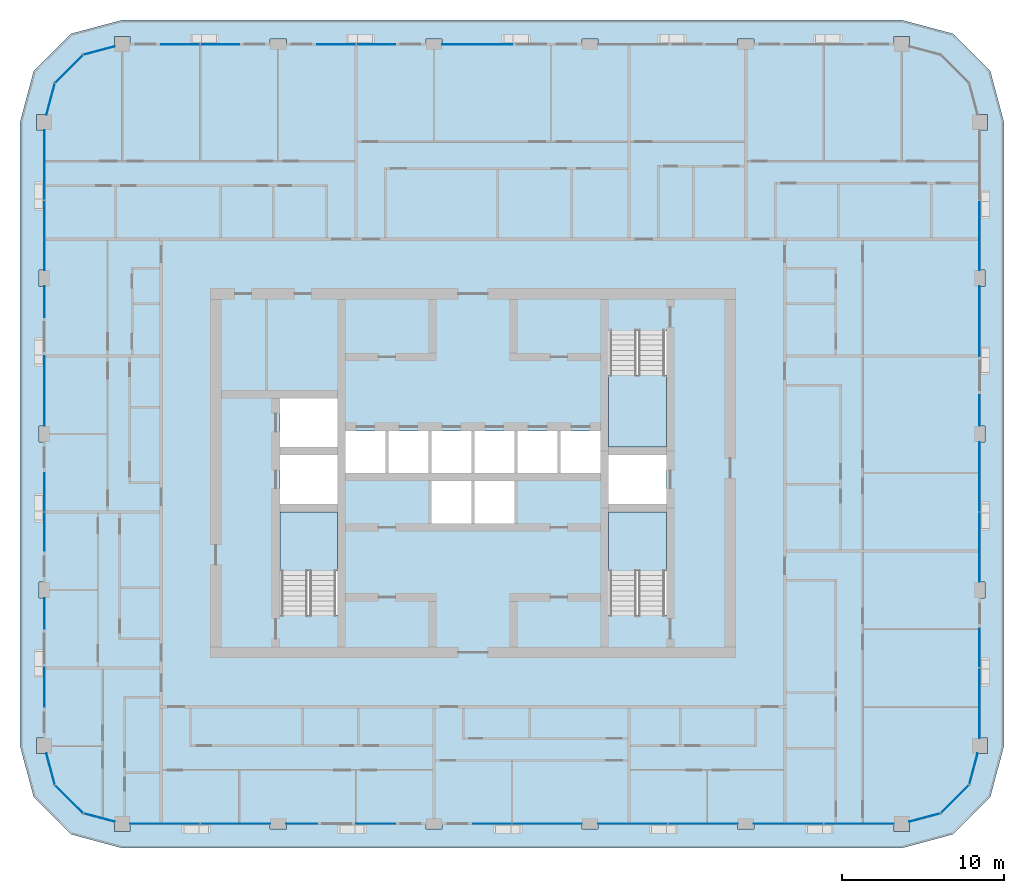
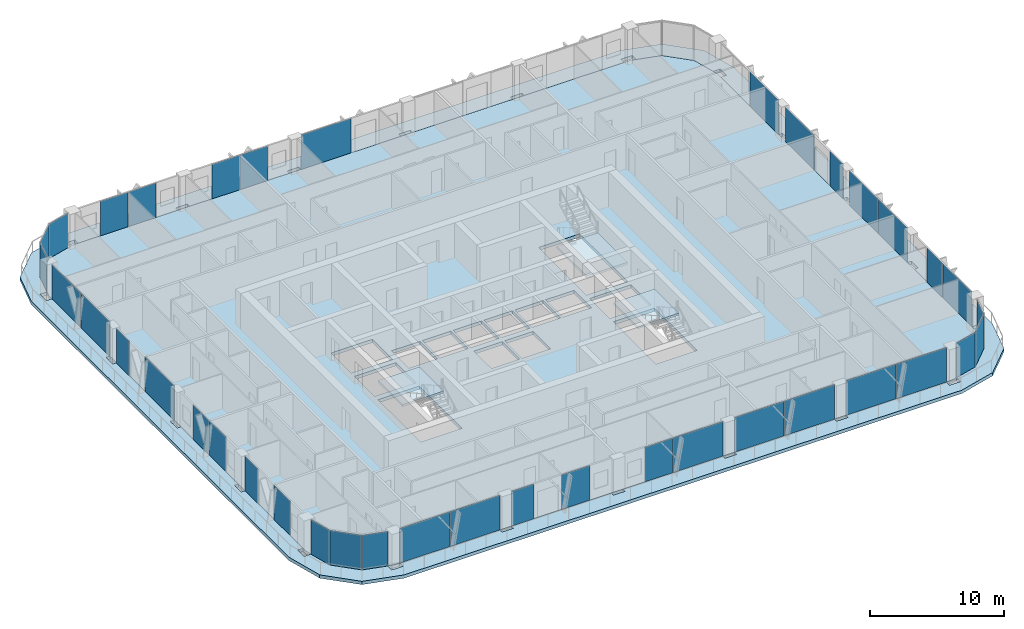
# One storey, part 7 of 22: 39 plates, 5 slabs, 22 elements without a shape of their own.
"""IFC4 building model written with IfcOpenShell, lengths in metres."""

from ifc_helpers import new_model, si_unit, direction, frame, origin, origin_2d, place, context, subcontext, project, spatial, polyline, rectangle, outline, extrude, material, layer, layer_set, type_object, element, aggregate, save


model = new_model("IFC4")

# Units and contexts
model_context = context("Model", 3, precision=1e-05, world=origin(), true_north=direction((0.0, 1.0)))
body_context = subcontext(model_context, "Body", "Model", "MODEL_VIEW")
ifc_project = project(units=[si_unit("LENGTHUNIT", "METRE"), si_unit("AREAUNIT", "SQUARE_METRE"), si_unit("VOLUMEUNIT", "CUBIC_METRE"), si_unit("PLANEANGLEUNIT", "RADIAN"), si_unit("MASSUNIT", "GRAM", prefix="KILO")], contexts=[model_context])

# Site, building, storey
site_placement = place(None, origin())
site = spatial("IfcSite", under=ifc_project, at=site_placement, CompositionType="ELEMENT")
building_placement = place(site_placement, origin())
building = spatial("IfcBuilding", under=site, at=building_placement, Name="Madar Terraces", CompositionType="ELEMENT")
storey_placement = place(building_placement, frame((0.0, 0.0, 208.800048828125)))
storey = spatial("IfcBuildingStorey", under=building, at=storey_placement, Name="L54", CompositionType="ELEMENT", Elevation=208.800048828125)

# Slabs
ifc_material_1 = material(Name="Concrete C50/60", Category="concrete")
ifc_layer_1 = layer(ifc_material_1, 0.300048828125)
ifc_layer_set_1 = layer_set([ifc_layer_1], Name="Balcony band 300")
slab_type_1 = type_object("IfcSlabType", Name="Balcony band 300", PredefinedType="FLOOR", material=ifc_layer_set_1)
slab_1_placement = place(storey_placement, frame((0.0, 0.0, -0.300048828125)))
element("IfcSlab", 1, at=slab_1_placement, inside=storey, type_object=slab_type_1, Name="Balcony band", PredefinedType="FLOOR", context=body_context, shape_type="SweptSolid", body=[
    extrude(outline(polyline([(9.60009765625, 3.300048828125), (6.449951171875, 4.14404296875), (4.14404296875, 6.449951171875), (3.300048828125, 9.60009765625), (3.300048828125, 48.0), (4.14404296875, 51.14990234375), (6.449951171875, 53.4560546875), (9.60009765625, 54.300048828125), (57.60009765625, 54.300048828125), (60.75, 53.4560546875), (63.055908203125, 51.14990234375), (63.89990234375, 48.0), (63.89990234375, 9.60009765625), (63.055908203125, 6.449951171875), (60.75, 4.14404296875), (57.60009765625, 3.300048828125), (9.60009765625, 3.300048828125)]), holes=[polyline([(10.074951171875, 4.324951171875), (10.074951171875, 4.800048828125), (18.699951171875, 4.800048828125), (18.699951171875, 4.47509765625), (19.699951171875, 4.47509765625), (19.699951171875, 4.800048828125), (28.300048828125, 4.800048828125), (28.300048828125, 4.47509765625), (29.300048828125, 4.47509765625), (29.300048828125, 4.800048828125), (37.89990234375, 4.800048828125), (37.89990234375, 4.47509765625), (38.89990234375, 4.47509765625), (38.89990234375, 4.800048828125), (47.5, 4.800048828125), (47.5, 4.47509765625), (48.5, 4.47509765625), (48.5, 4.800048828125), (57.125, 4.800048828125), (57.125, 4.324951171875), (58.074951171875, 4.324951171875), (58.074951171875, 4.92724609375), (60.0, 5.443115234375), (61.7568359375, 7.199951171875), (62.272705078125, 9.125), (62.875, 9.125), (62.875, 10.074951171875), (62.39990234375, 10.074951171875), (62.39990234375, 18.699951171875), (62.72509765625, 18.699951171875), (62.72509765625, 19.699951171875), (62.39990234375, 19.699951171875), (62.39990234375, 28.300048828125), (62.72509765625, 28.300048828125), (62.72509765625, 29.300048828125), (62.39990234375, 29.300048828125), (62.39990234375, 37.89990234375), (62.72509765625, 37.89990234375), (62.72509765625, 38.89990234375), (62.39990234375, 38.89990234375), (62.39990234375, 47.52490234375), (62.875, 47.52490234375), (62.875, 48.47509765625), (62.272705078125, 48.47509765625), (61.7568359375, 50.39990234375), (60.0, 52.156982421875), (58.074951171875, 52.672607421875), (58.074951171875, 53.27490234375), (57.125, 53.27490234375), (57.125, 52.800048828125), (48.5, 52.800048828125), (48.5, 53.125), (47.5, 53.125), (47.5, 52.800048828125), (38.89990234375, 52.800048828125), (38.89990234375, 53.125), (37.89990234375, 53.125), (37.89990234375, 52.800048828125), (29.300048828125, 52.800048828125), (29.300048828125, 53.125), (28.300048828125, 53.125), (28.300048828125, 52.800048828125), (19.699951171875, 52.800048828125), (19.699951171875, 53.125), (18.699951171875, 53.125), (18.699951171875, 52.800048828125), (10.074951171875, 52.800048828125), (10.074951171875, 53.27490234375), (9.125, 53.27490234375), (9.125, 52.672607421875), (7.199951171875, 52.156982421875), (5.443115234375, 50.39990234375), (4.92724609375, 48.47509765625), (4.324951171875, 48.47509765625), (4.324951171875, 47.52490234375), (4.800048828125, 47.52490234375), (4.800048828125, 38.89990234375), (4.47509765625, 38.89990234375), (4.47509765625, 37.89990234375), (4.800048828125, 37.89990234375), (4.800048828125, 29.300048828125), (4.47509765625, 29.300048828125), (4.47509765625, 28.300048828125), (4.800048828125, 28.300048828125), (4.800048828125, 19.699951171875), (4.47509765625, 19.699951171875), (4.47509765625, 18.699951171875), (4.800048828125, 18.699951171875), (4.800048828125, 10.074951171875), (4.324951171875, 10.074951171875), (4.324951171875, 9.125), (4.92724609375, 9.125), (5.443115234375, 7.199951171875), (7.199951171875, 5.443115234375), (9.125, 4.92724609375), (9.125, 4.324951171875), (10.074951171875, 4.324951171875)])]), origin(), (0.0, 0.0, 1.0), 0.300048828125),
])
ifc_material_2 = material(Name="Concrete C50/60", Category="concrete")
ifc_layer_2 = layer(ifc_material_2, 0.300048828125)
ifc_layer_set_2 = layer_set([ifc_layer_2], Name="FS2 PT flat slab 300")
slab_type_2 = type_object("IfcSlabType", Name="FS2 PT flat slab 300", PredefinedType="FLOOR", material=ifc_layer_set_2)
slab_2_placement = place(storey_placement, frame((0.0, 0.0, -0.300048828125)))
element("IfcSlab", 2, at=slab_2_placement, inside=storey, type_object=slab_type_2, Name="Floor slab L54 (1)", PredefinedType="FLOOR", context=body_context, shape_type="SweptSolid", body=[
    extrude(outline(polyline([(57.60009765625, 4.800048828125), (60.0, 5.443115234375), (61.7568359375, 7.199951171875), (62.39990234375, 9.60009765625), (62.39990234375, 48.0), (61.7568359375, 50.39990234375), (60.0, 52.156982421875), (57.60009765625, 52.800048828125), (9.60009765625, 52.800048828125), (7.199951171875, 52.156982421875), (5.443115234375, 50.39990234375), (4.800048828125, 48.0), (4.800048828125, 9.60009765625), (5.443115234375, 7.199951171875), (7.199951171875, 5.443115234375), (9.60009765625, 4.800048828125), (57.60009765625, 4.800048828125)]), holes=[polyline([(22.85009765625, 17.64990234375), (19.300048828125, 17.64990234375), (19.300048828125, 24.0), (22.85009765625, 24.0), (22.85009765625, 17.64990234375)]), polyline([(28.64990234375, 23.300048828125), (28.64990234375, 25.89990234375), (31.10009765625, 25.89990234375), (31.10009765625, 23.300048828125), (28.64990234375, 23.300048828125)]), polyline([(19.300048828125, 24.5), (19.300048828125, 27.5), (22.85009765625, 27.5), (22.85009765625, 24.5), (19.300048828125, 24.5)]), polyline([(23.35009765625, 26.39990234375), (23.35009765625, 29.0), (25.800048828125, 29.0), (25.800048828125, 26.39990234375), (23.35009765625, 26.39990234375)]), polyline([(26.0, 26.39990234375), (26.0, 29.0), (28.449951171875, 29.0), (28.449951171875, 26.39990234375), (26.0, 26.39990234375)]), polyline([(28.64990234375, 26.39990234375), (28.64990234375, 29.0), (31.10009765625, 29.0), (31.10009765625, 26.39990234375), (28.64990234375, 26.39990234375)]), polyline([(19.300048828125, 28.0), (19.300048828125, 31.0), (22.85009765625, 31.0), (22.85009765625, 28.0), (19.300048828125, 28.0)]), polyline([(43.10009765625, 17.64990234375), (39.550048828125, 17.64990234375), (39.550048828125, 24.0), (43.10009765625, 24.0), (43.10009765625, 17.64990234375)]), polyline([(31.300048828125, 23.300048828125), (31.300048828125, 25.89990234375), (33.75, 25.89990234375), (33.75, 23.300048828125), (31.300048828125, 23.300048828125)]), polyline([(39.550048828125, 24.5), (39.550048828125, 27.5), (43.10009765625, 27.5), (43.10009765625, 24.5), (39.550048828125, 24.5)]), polyline([(31.300048828125, 26.39990234375), (31.300048828125, 29.0), (33.75, 29.0), (33.75, 26.39990234375), (31.300048828125, 26.39990234375)]), polyline([(33.949951171875, 26.39990234375), (33.949951171875, 29.0), (36.39990234375, 29.0), (36.39990234375, 26.39990234375), (33.949951171875, 26.39990234375)]), polyline([(36.60009765625, 26.39990234375), (36.60009765625, 29.0), (39.050048828125, 29.0), (39.050048828125, 26.39990234375), (36.60009765625, 26.39990234375)]), polyline([(39.550048828125, 28.0), (39.550048828125, 35.14990234375), (43.10009765625, 35.14990234375), (43.10009765625, 28.0), (39.550048828125, 28.0)])]), origin(), (0.0, 0.0, 1.0), 0.300048828125),
])

# Curtain wall, plates
ifc_material_3 = material(Name="Glass, ceramic frit dark grey, with black aluminium frame", Category="aluminium")
ifc_layer_3 = layer(ifc_material_3, 0.199951171875)
ifc_layer_set_3 = layer_set([ifc_layer_3], Name="Facade curtain wall, fritted glass")
curtain_wall_type = type_object("IfcCurtainWallType", Name="Facade curtain wall, fritted glass", PredefinedType="NOTDEFINED", material=ifc_layer_set_3)
curtain_wall_1_placement = place(storey_placement, origin())
curtain_wall_1 = element("IfcCurtainWall", 3, at=curtain_wall_1_placement, inside=storey, type_object=curtain_wall_type, Name="Outer skin curtain wall south bay 1", PredefinedType="NOTDEFINED")
ifc_material_4 = material(Name="Glass, ceramic frit dark grey", Category="glass")
ifc_layer_4 = layer(ifc_material_4, 0.028076171875)
ifc_layer_set_4 = layer_set([ifc_layer_4], Name="Facade glass panel 28")
plate_type = type_object("IfcPlateType", Name="Facade glass panel 28", PredefinedType="CURTAIN_PANEL", material=ifc_layer_set_4)
plate_1_placement = place(storey_placement, frame((12.222412109375, 4.800048828125, 0.0), z_axis=(0.0, 0.0, 1.0), x_axis=(1.0, 0.0, 0.0)))
plate_1 = element("IfcPlate", 4, at=plate_1_placement, type_object=plate_type, Name="Panel 1", PredefinedType="CURTAIN_PANEL", context=body_context, shape_type="SweptSolid", body=[
    extrude(rectangle(XDim=4.294921875, YDim=0.028076171875, at=origin_2d()), origin(), (0.0, 0.0, 1.0), 3.139892578125),
])
plate_2_placement = place(storey_placement, frame((16.56494140625, 4.800048828125, 0.0), z_axis=(0.0, 0.0, 1.0), x_axis=(1.0, 0.0, 0.0)))
plate_2 = element("IfcPlate", 5, at=plate_2_placement, type_object=plate_type, Name="Panel 2", PredefinedType="CURTAIN_PANEL", context=body_context, shape_type="SweptSolid", body=[
    extrude(rectangle(XDim=4.27001953125, YDim=0.028076171875, at=origin_2d()), origin(), (0.0, 0.0, 1.0), 3.139892578125),
])
aggregate(curtain_wall_1, [plate_1, plate_2])

curtain_wall_2_placement = place(storey_placement, origin())
curtain_wall_2 = element("IfcCurtainWall", 6, at=curtain_wall_2_placement, inside=storey, type_object=curtain_wall_type, Name="Outer skin curtain wall south bay 2", PredefinedType="NOTDEFINED")
plate_3_placement = place(storey_placement, frame((20.64990234375, 4.800048828125, 0.0), z_axis=(0.0, 0.0, 1.0), x_axis=(1.0, 0.0, 0.0)))
plate_3 = element("IfcPlate", 7, at=plate_3_placement, type_object=plate_type, Name="Panel 1", PredefinedType="CURTAIN_PANEL", context=body_context, shape_type="SweptSolid", body=[
    extrude(rectangle(XDim=1.89990234375, YDim=0.028076171875, at=origin_2d()), origin(), (0.0, 0.0, 1.0), 3.139892578125),
])
plate_4_placement = place(storey_placement, frame((25.199951171875, 4.800048828125, 0.0), z_axis=(0.0, 0.0, 1.0), x_axis=(1.0, 0.0, 0.0)))
plate_4 = element("IfcPlate", 8, at=plate_4_placement, type_object=plate_type, Name="Panel 2", PredefinedType="CURTAIN_PANEL", context=body_context, shape_type="SweptSolid", body=[
    extrude(rectangle(XDim=2.39990234375, YDim=0.028076171875, at=origin_2d()), origin(), (0.0, 0.0, 1.0), 3.139892578125),
])
aggregate(curtain_wall_2, [plate_3, plate_4])

curtain_wall_3_placement = place(storey_placement, origin())
curtain_wall_3 = element("IfcCurtainWall", 9, at=curtain_wall_3_placement, inside=storey, type_object=curtain_wall_type, Name="Outer skin curtain wall south bay 3", PredefinedType="NOTDEFINED")
plate_5_placement = place(storey_placement, frame((32.385009765625, 4.800048828125, 0.0), z_axis=(0.0, 0.0, 1.0), x_axis=(1.0, 0.0, 0.0)))
plate_5 = element("IfcPlate", 10, at=plate_5_placement, type_object=plate_type, Name="Panel 1", PredefinedType="CURTAIN_PANEL", context=body_context, shape_type="SweptSolid", body=[
    extrude(rectangle(XDim=2.3701171875, YDim=0.028076171875, at=origin_2d()), origin(), (0.0, 0.0, 1.0), 3.139892578125),
])
plate_6_placement = place(storey_placement, frame((35.764892578125, 4.800048828125, 0.0), z_axis=(0.0, 0.0, 1.0), x_axis=(1.0, 0.0, 0.0)))
plate_6 = element("IfcPlate", 11, at=plate_6_placement, type_object=plate_type, Name="Panel 2", PredefinedType="CURTAIN_PANEL", context=body_context, shape_type="SweptSolid", body=[
    extrude(rectangle(XDim=4.27001953125, YDim=0.028076171875, at=origin_2d()), origin(), (0.0, 0.0, 1.0), 3.139892578125),
])
aggregate(curtain_wall_3, [plate_5, plate_6])

curtain_wall_4_placement = place(storey_placement, origin())
curtain_wall_4 = element("IfcCurtainWall", 12, at=curtain_wall_4_placement, inside=storey, type_object=curtain_wall_type, Name="Outer skin curtain wall south bay 4", PredefinedType="NOTDEFINED")
plate_7_placement = place(storey_placement, frame((41.034912109375, 4.800048828125, 0.0), z_axis=(0.0, 0.0, 1.0), x_axis=(1.0, 0.0, 0.0)))
plate_7 = element("IfcPlate", 13, at=plate_7_placement, type_object=plate_type, Name="Panel 1", PredefinedType="CURTAIN_PANEL", context=body_context, shape_type="SweptSolid", body=[
    extrude(rectangle(XDim=4.27001953125, YDim=0.028076171875, at=origin_2d()), origin(), (0.0, 0.0, 1.0), 3.139892578125),
])
plate_8_placement = place(storey_placement, frame((45.364990234375, 4.800048828125, 0.0), z_axis=(0.0, 0.0, 1.0), x_axis=(1.0, 0.0, 0.0)))
plate_8 = element("IfcPlate", 14, at=plate_8_placement, type_object=plate_type, Name="Panel 2", PredefinedType="CURTAIN_PANEL", context=body_context, shape_type="SweptSolid", body=[
    extrude(rectangle(XDim=4.27001953125, YDim=0.028076171875, at=origin_2d()), origin(), (0.0, 0.0, 1.0), 3.139892578125),
])
aggregate(curtain_wall_4, [plate_7, plate_8])

curtain_wall_5_placement = place(storey_placement, origin())
curtain_wall_5 = element("IfcCurtainWall", 15, at=curtain_wall_5_placement, inside=storey, type_object=curtain_wall_type, Name="Outer skin curtain wall south bay 5", PredefinedType="NOTDEFINED")
plate_9_placement = place(storey_placement, frame((50.635009765625, 4.800048828125, 0.0), z_axis=(0.0, 0.0, 1.0), x_axis=(1.0, 0.0, 0.0)))
plate_9 = element("IfcPlate", 16, at=plate_9_placement, type_object=plate_type, Name="Panel 1", PredefinedType="CURTAIN_PANEL", context=body_context, shape_type="SweptSolid", body=[
    extrude(rectangle(XDim=4.27001953125, YDim=0.028076171875, at=origin_2d()), origin(), (0.0, 0.0, 1.0), 3.139892578125),
])
plate_10_placement = place(storey_placement, frame((54.9775390625, 4.800048828125, 0.0), z_axis=(0.0, 0.0, 1.0), x_axis=(1.0, 0.0, 0.0)))
plate_10 = element("IfcPlate", 17, at=plate_10_placement, type_object=plate_type, Name="Panel 2", PredefinedType="CURTAIN_PANEL", context=body_context, shape_type="SweptSolid", body=[
    extrude(rectangle(XDim=4.294921875, YDim=0.028076171875, at=origin_2d()), origin(), (0.0, 0.0, 1.0), 3.139892578125),
])
aggregate(curtain_wall_5, [plate_9, plate_10])

curtain_wall_6_placement = place(storey_placement, origin())
curtain_wall_6 = element("IfcCurtainWall", 18, at=curtain_wall_6_placement, inside=storey, type_object=curtain_wall_type, Name="Outer skin curtain wall east bay 1", PredefinedType="NOTDEFINED")
plate_11_placement = place(storey_placement, frame((62.39990234375, 12.222412109375, 0.0), z_axis=(0.0, 0.0, 1.0), x_axis=(0.0, 1.0, 0.0)))
plate_11 = element("IfcPlate", 19, at=plate_11_placement, type_object=plate_type, Name="Panel 1", PredefinedType="CURTAIN_PANEL", context=body_context, shape_type="SweptSolid", body=[
    extrude(rectangle(XDim=4.294921875, YDim=0.028076171875, at=origin_2d()), origin(), (0.0, 0.0, 1.0), 3.139892578125),
])
plate_12_placement = place(storey_placement, frame((62.39990234375, 15.614990234375, 0.0), z_axis=(0.0, 0.0, 1.0), x_axis=(0.0, 1.0, 0.0)))
plate_12 = element("IfcPlate", 20, at=plate_12_placement, type_object=plate_type, Name="Panel 2", PredefinedType="CURTAIN_PANEL", context=body_context, shape_type="SweptSolid", body=[
    extrude(rectangle(XDim=2.3701171875, YDim=0.028076171875, at=origin_2d()), origin(), (0.0, 0.0, 1.0), 3.139892578125),
])
aggregate(curtain_wall_6, [plate_11, plate_12])

curtain_wall_7_placement = place(storey_placement, origin())
curtain_wall_7 = element("IfcCurtainWall", 21, at=curtain_wall_7_placement, inside=storey, type_object=curtain_wall_type, Name="Outer skin curtain wall east bay 2", PredefinedType="NOTDEFINED")
plate_13_placement = place(storey_placement, frame((62.39990234375, 21.8349609375, 0.0), z_axis=(0.0, 0.0, 1.0), x_axis=(0.0, 1.0, 0.0)))
plate_13 = element("IfcPlate", 22, at=plate_13_placement, type_object=plate_type, Name="Panel 1", PredefinedType="CURTAIN_PANEL", context=body_context, shape_type="SweptSolid", body=[
    extrude(rectangle(XDim=4.27001953125, YDim=0.028076171875, at=origin_2d()), origin(), (0.0, 0.0, 1.0), 3.139892578125),
])
plate_14_placement = place(storey_placement, frame((62.39990234375, 26.1650390625, 0.0), z_axis=(0.0, 0.0, 1.0), x_axis=(0.0, 1.0, 0.0)))
plate_14 = element("IfcPlate", 23, at=plate_14_placement, type_object=plate_type, Name="Panel 2", PredefinedType="CURTAIN_PANEL", context=body_context, shape_type="SweptSolid", body=[
    extrude(rectangle(XDim=4.27001953125, YDim=0.028076171875, at=origin_2d()), origin(), (0.0, 0.0, 1.0), 3.139892578125),
])
aggregate(curtain_wall_7, [plate_13, plate_14])

curtain_wall_8_placement = place(storey_placement, origin())
curtain_wall_8 = element("IfcCurtainWall", 24, at=curtain_wall_8_placement, inside=storey, type_object=curtain_wall_type, Name="Outer skin curtain wall east bay 3", PredefinedType="NOTDEFINED")
plate_15_placement = place(storey_placement, frame((62.39990234375, 30.25, 0.0), z_axis=(0.0, 0.0, 1.0), x_axis=(0.0, 1.0, 0.0)))
plate_15 = element("IfcPlate", 25, at=plate_15_placement, type_object=plate_type, Name="Panel 1", PredefinedType="CURTAIN_PANEL", context=body_context, shape_type="SweptSolid", body=[
    extrude(rectangle(XDim=1.89990234375, YDim=0.028076171875, at=origin_2d()), origin(), (0.0, 0.0, 1.0), 3.139892578125),
])
plate_16_placement = place(storey_placement, frame((62.39990234375, 35.75, 0.0), z_axis=(0.0, 0.0, 1.0), x_axis=(0.0, 1.0, 0.0)))
plate_16 = element("IfcPlate", 26, at=plate_16_placement, type_object=plate_type, Name="Panel 2", PredefinedType="CURTAIN_PANEL", context=body_context, shape_type="SweptSolid", body=[
    extrude(rectangle(XDim=4.300048828125, YDim=0.028076171875, at=origin_2d()), origin(), (0.0, 0.0, 1.0), 3.139892578125),
])
aggregate(curtain_wall_8, [plate_15, plate_16])

# Curtain wall, plate
curtain_wall_9_placement = place(storey_placement, origin())
curtain_wall_9 = element("IfcCurtainWall", 27, at=curtain_wall_9_placement, inside=storey, type_object=curtain_wall_type, Name="Outer skin curtain wall east bay 4", PredefinedType="NOTDEFINED")
plate_17_placement = place(storey_placement, frame((62.39990234375, 41.034912109375, 0.0), z_axis=(0.0, 0.0, 1.0), x_axis=(0.0, 1.0, 0.0)))
plate_17 = element("IfcPlate", 28, at=plate_17_placement, type_object=plate_type, Name="Panel 1", PredefinedType="CURTAIN_PANEL", context=body_context, shape_type="SweptSolid", body=[
    extrude(rectangle(XDim=4.27001953125, YDim=0.028076171875, at=origin_2d()), origin(), (0.0, 0.0, 1.0), 3.139892578125),
])
aggregate(curtain_wall_9, [plate_17])

curtain_wall_10_placement = place(storey_placement, origin())
curtain_wall_10 = element("IfcCurtainWall", 29, at=curtain_wall_10_placement, inside=storey, type_object=curtain_wall_type, Name="Outer skin curtain wall north bay 3", PredefinedType="NOTDEFINED")
plate_18_placement = place(storey_placement, frame((31.449951171875, 52.800048828125, 0.0), z_axis=(0.0, 0.0, 1.0), x_axis=(-1.0, 0.0, 0.0)))
plate_18 = element("IfcPlate", 30, at=plate_18_placement, type_object=plate_type, Name="Panel 1", PredefinedType="CURTAIN_PANEL", context=body_context, shape_type="SweptSolid", body=[
    extrude(rectangle(XDim=4.300048828125, YDim=0.028076171875, at=origin_2d()), origin(), (0.0, 0.0, 1.0), 3.139892578125),
])
aggregate(curtain_wall_10, [plate_18])

# Curtain wall, plates
curtain_wall_11_placement = place(storey_placement, origin())
curtain_wall_11 = element("IfcCurtainWall", 31, at=curtain_wall_11_placement, inside=storey, type_object=curtain_wall_type, Name="Outer skin curtain wall north bay 4", PredefinedType="NOTDEFINED")
plate_19_placement = place(storey_placement, frame((25.215087890625, 52.800048828125, 0.0), z_axis=(0.0, 0.0, 1.0), x_axis=(-1.0, 0.0, 0.0)))
plate_19 = element("IfcPlate", 32, at=plate_19_placement, type_object=plate_type, Name="Panel 1", PredefinedType="CURTAIN_PANEL", context=body_context, shape_type="SweptSolid", body=[
    extrude(rectangle(XDim=2.3701171875, YDim=0.028076171875, at=origin_2d()), origin(), (0.0, 0.0, 1.0), 3.139892578125),
])
plate_20_placement = place(storey_placement, frame((22.784912109375, 52.800048828125, 0.0), z_axis=(0.0, 0.0, 1.0), x_axis=(-1.0, 0.0, 0.0)))
plate_20 = element("IfcPlate", 33, at=plate_20_placement, type_object=plate_type, Name="Panel 2", PredefinedType="CURTAIN_PANEL", context=body_context, shape_type="SweptSolid", body=[
    extrude(rectangle(XDim=2.3701171875, YDim=0.028076171875, at=origin_2d()), origin(), (0.0, 0.0, 1.0), 3.139892578125),
])
aggregate(curtain_wall_11, [plate_19, plate_20])

curtain_wall_12_placement = place(storey_placement, origin())
curtain_wall_12 = element("IfcCurtainWall", 34, at=curtain_wall_12_placement, inside=storey, type_object=curtain_wall_type, Name="Outer skin curtain wall north bay 5", PredefinedType="NOTDEFINED")
plate_21_placement = place(storey_placement, frame((15.614990234375, 52.800048828125, 0.0), z_axis=(0.0, 0.0, 1.0), x_axis=(-1.0, 0.0, 0.0)))
plate_21 = element("IfcPlate", 35, at=plate_21_placement, type_object=plate_type, Name="Panel 1", PredefinedType="CURTAIN_PANEL", context=body_context, shape_type="SweptSolid", body=[
    extrude(rectangle(XDim=2.3701171875, YDim=0.028076171875, at=origin_2d()), origin(), (0.0, 0.0, 1.0), 3.139892578125),
])
plate_22_placement = place(storey_placement, frame((13.18505859375, 52.800048828125, 0.0), z_axis=(0.0, 0.0, 1.0), x_axis=(-1.0, 0.0, 0.0)))
plate_22 = element("IfcPlate", 36, at=plate_22_placement, type_object=plate_type, Name="Panel 2", PredefinedType="CURTAIN_PANEL", context=body_context, shape_type="SweptSolid", body=[
    extrude(rectangle(XDim=2.3701171875, YDim=0.028076171875, at=origin_2d()), origin(), (0.0, 0.0, 1.0), 3.139892578125),
])
aggregate(curtain_wall_12, [plate_21, plate_22])

curtain_wall_13_placement = place(storey_placement, origin())
curtain_wall_13 = element("IfcCurtainWall", 37, at=curtain_wall_13_placement, inside=storey, type_object=curtain_wall_type, Name="Outer skin curtain wall west bay 1", PredefinedType="NOTDEFINED")
plate_23_placement = place(storey_placement, frame((4.800048828125, 45.37744140625, 0.0), z_axis=(0.0, 0.0, 1.0), x_axis=(0.0, -1.0, 0.0)))
plate_23 = element("IfcPlate", 38, at=plate_23_placement, type_object=plate_type, Name="Panel 1", PredefinedType="CURTAIN_PANEL", context=body_context, shape_type="SweptSolid", body=[
    extrude(rectangle(XDim=4.294921875, YDim=0.028076171875, at=origin_2d()), origin(), (0.0, 0.0, 1.0), 3.139892578125),
])
plate_24_placement = place(storey_placement, frame((4.800048828125, 41.034912109375, 0.0), z_axis=(0.0, 0.0, 1.0), x_axis=(0.0, -1.0, 0.0)))
plate_24 = element("IfcPlate", 39, at=plate_24_placement, type_object=plate_type, Name="Panel 2", PredefinedType="CURTAIN_PANEL", context=body_context, shape_type="SweptSolid", body=[
    extrude(rectangle(XDim=4.27001953125, YDim=0.028076171875, at=origin_2d()), origin(), (0.0, 0.0, 1.0), 3.139892578125),
])
aggregate(curtain_wall_13, [plate_23, plate_24])

curtain_wall_14_placement = place(storey_placement, origin())
curtain_wall_14 = element("IfcCurtainWall", 40, at=curtain_wall_14_placement, inside=storey, type_object=curtain_wall_type, Name="Outer skin curtain wall west bay 2", PredefinedType="NOTDEFINED")
plate_25_placement = place(storey_placement, frame((4.800048828125, 36.949951171875, 0.0), z_axis=(0.0, 0.0, 1.0), x_axis=(0.0, -1.0, 0.0)))
plate_25 = element("IfcPlate", 41, at=plate_25_placement, type_object=plate_type, Name="Panel 1", PredefinedType="CURTAIN_PANEL", context=body_context, shape_type="SweptSolid", body=[
    extrude(rectangle(XDim=1.89990234375, YDim=0.028076171875, at=origin_2d()), origin(), (0.0, 0.0, 1.0), 3.139892578125),
])
plate_26_placement = place(storey_placement, frame((4.800048828125, 31.449951171875, 0.0), z_axis=(0.0, 0.0, 1.0), x_axis=(0.0, -1.0, 0.0)))
plate_26 = element("IfcPlate", 42, at=plate_26_placement, type_object=plate_type, Name="Panel 2", PredefinedType="CURTAIN_PANEL", context=body_context, shape_type="SweptSolid", body=[
    extrude(rectangle(XDim=4.300048828125, YDim=0.028076171875, at=origin_2d()), origin(), (0.0, 0.0, 1.0), 3.139892578125),
])
aggregate(curtain_wall_14, [plate_25, plate_26])

curtain_wall_15_placement = place(storey_placement, origin())
curtain_wall_15 = element("IfcCurtainWall", 43, at=curtain_wall_15_placement, inside=storey, type_object=curtain_wall_type, Name="Outer skin curtain wall west bay 3", PredefinedType="NOTDEFINED")
plate_27_placement = place(storey_placement, frame((4.800048828125, 25.215087890625, 0.0), z_axis=(0.0, 0.0, 1.0), x_axis=(0.0, -1.0, 0.0)))
plate_27 = element("IfcPlate", 44, at=plate_27_placement, type_object=plate_type, Name="Panel 1", PredefinedType="CURTAIN_PANEL", context=body_context, shape_type="SweptSolid", body=[
    extrude(rectangle(XDim=2.3701171875, YDim=0.028076171875, at=origin_2d()), origin(), (0.0, 0.0, 1.0), 3.139892578125),
])
plate_28_placement = place(storey_placement, frame((4.800048828125, 22.784912109375, 0.0), z_axis=(0.0, 0.0, 1.0), x_axis=(0.0, -1.0, 0.0)))
plate_28 = element("IfcPlate", 45, at=plate_28_placement, type_object=plate_type, Name="Panel 2", PredefinedType="CURTAIN_PANEL", context=body_context, shape_type="SweptSolid", body=[
    extrude(rectangle(XDim=2.3701171875, YDim=0.028076171875, at=origin_2d()), origin(), (0.0, 0.0, 1.0), 3.139892578125),
])
aggregate(curtain_wall_15, [plate_27, plate_28])

curtain_wall_16_placement = place(storey_placement, origin())
curtain_wall_16 = element("IfcCurtainWall", 46, at=curtain_wall_16_placement, inside=storey, type_object=curtain_wall_type, Name="Outer skin curtain wall west bay 4", PredefinedType="NOTDEFINED")
plate_29_placement = place(storey_placement, frame((4.800048828125, 17.75, 0.0), z_axis=(0.0, 0.0, 1.0), x_axis=(0.0, -1.0, 0.0)))
plate_29 = element("IfcPlate", 47, at=plate_29_placement, type_object=plate_type, Name="Panel 1", PredefinedType="CURTAIN_PANEL", context=body_context, shape_type="SweptSolid", body=[
    extrude(rectangle(XDim=1.89990234375, YDim=0.028076171875, at=origin_2d()), origin(), (0.0, 0.0, 1.0), 3.139892578125),
])
plate_30_placement = place(storey_placement, frame((4.800048828125, 13.199951171875, 0.0), z_axis=(0.0, 0.0, 1.0), x_axis=(0.0, -1.0, 0.0)))
plate_30 = element("IfcPlate", 48, at=plate_30_placement, type_object=plate_type, Name="Panel 2", PredefinedType="CURTAIN_PANEL", context=body_context, shape_type="SweptSolid", body=[
    extrude(rectangle(XDim=2.39990234375, YDim=0.028076171875, at=origin_2d()), origin(), (0.0, 0.0, 1.0), 3.139892578125),
])
aggregate(curtain_wall_16, [plate_29, plate_30])

curtain_wall_17_placement = place(storey_placement, origin())
curtain_wall_17 = element("IfcCurtainWall", 49, at=curtain_wall_17_placement, inside=storey, type_object=curtain_wall_type, Name="Outer skin curtain wall south-east corner", PredefinedType="NOTDEFINED")
plate_31_placement = place(storey_placement, frame((59.02294921875, 5.181396484375, 0.0), z_axis=(0.0, 0.0, 1.0), x_axis=(0.965925832509, 0.258819021888, 0.0)))
plate_31 = element("IfcPlate", 50, at=plate_31_placement, type_object=plate_type, Name="Panel 1", PredefinedType="CURTAIN_PANEL", context=body_context, shape_type="SweptSolid", body=[
    extrude(rectangle(XDim=1.962890625, YDim=0.028076171875, at=origin_2d()), origin(), (0.0, 0.0, 1.0), 3.139892578125),
])
plate_32_placement = place(storey_placement, frame((60.87841796875, 6.321533203125, 0.0), z_axis=(0.0, 0.0, 1.0), x_axis=(0.707106781187, 0.707106781187, 0.0)))
plate_32 = element("IfcPlate", 51, at=plate_32_placement, type_object=plate_type, Name="Panel 2", PredefinedType="CURTAIN_PANEL", context=body_context, shape_type="SweptSolid", body=[
    extrude(rectangle(XDim=2.424560546875, YDim=0.028076171875, at=origin_2d()), origin(), (0.0, 0.0, 1.0), 3.139892578125),
])
plate_33_placement = place(storey_placement, frame((62.018798828125, 8.177001953125, 0.0), z_axis=(0.0, 0.0, 1.0), x_axis=(0.258819021888, 0.965925832509, 0.0)))
plate_33 = element("IfcPlate", 52, at=plate_33_placement, type_object=plate_type, Name="Panel 3", PredefinedType="CURTAIN_PANEL", context=body_context, shape_type="SweptSolid", body=[
    extrude(rectangle(XDim=1.962890625, YDim=0.028076171875, at=origin_2d()), origin(), (0.0, 0.0, 1.0), 3.139892578125),
])
aggregate(curtain_wall_17, [plate_31, plate_32, plate_33])

curtain_wall_18_placement = place(storey_placement, origin())
curtain_wall_18 = element("IfcCurtainWall", 53, at=curtain_wall_18_placement, inside=storey, type_object=curtain_wall_type, Name="Outer skin curtain wall north-west corner", PredefinedType="NOTDEFINED")
plate_34_placement = place(storey_placement, frame((8.177001953125, 52.418701171875, 0.0), z_axis=(0.0, 0.0, 1.0), x_axis=(-0.965925832509, -0.258819021888, 0.0)))
plate_34 = element("IfcPlate", 54, at=plate_34_placement, type_object=plate_type, Name="Panel 1", PredefinedType="CURTAIN_PANEL", context=body_context, shape_type="SweptSolid", body=[
    extrude(rectangle(XDim=1.962890625, YDim=0.028076171875, at=origin_2d()), origin(), (0.0, 0.0, 1.0), 3.139892578125),
])
plate_35_placement = place(storey_placement, frame((6.321533203125, 51.278564453125, 0.0), z_axis=(0.0, 0.0, 1.0), x_axis=(-0.707106781187, -0.707106781187, 0.0)))
plate_35 = element("IfcPlate", 55, at=plate_35_placement, type_object=plate_type, Name="Panel 2", PredefinedType="CURTAIN_PANEL", context=body_context, shape_type="SweptSolid", body=[
    extrude(rectangle(XDim=2.424560546875, YDim=0.028076171875, at=origin_2d()), origin(), (0.0, 0.0, 1.0), 3.139892578125),
])
plate_36_placement = place(storey_placement, frame((5.181396484375, 49.423095703125, 0.0), z_axis=(0.0, 0.0, 1.0), x_axis=(-0.258819021888, -0.965925832509, 0.0)))
plate_36 = element("IfcPlate", 56, at=plate_36_placement, type_object=plate_type, Name="Panel 3", PredefinedType="CURTAIN_PANEL", context=body_context, shape_type="SweptSolid", body=[
    extrude(rectangle(XDim=1.962890625, YDim=0.028076171875, at=origin_2d()), origin(), (0.0, 0.0, 1.0), 3.139892578125),
])
aggregate(curtain_wall_18, [plate_34, plate_35, plate_36])

curtain_wall_19_placement = place(storey_placement, origin())
curtain_wall_19 = element("IfcCurtainWall", 57, at=curtain_wall_19_placement, inside=storey, type_object=curtain_wall_type, Name="Outer skin curtain wall south-west corner", PredefinedType="NOTDEFINED")
plate_37_placement = place(storey_placement, frame((5.181396484375, 8.177001953125, 0.0), z_axis=(0.0, 0.0, 1.0), x_axis=(0.258819021888, -0.965925832509, 0.0)))
plate_37 = element("IfcPlate", 58, at=plate_37_placement, type_object=plate_type, Name="Panel 1", PredefinedType="CURTAIN_PANEL", context=body_context, shape_type="SweptSolid", body=[
    extrude(rectangle(XDim=1.962890625, YDim=0.028076171875, at=origin_2d()), origin(), (0.0, 0.0, 1.0), 3.139892578125),
])
plate_38_placement = place(storey_placement, frame((6.321533203125, 6.321533203125, 0.0), z_axis=(0.0, 0.0, 1.0), x_axis=(0.707106781187, -0.707106781187, 0.0)))
plate_38 = element("IfcPlate", 59, at=plate_38_placement, type_object=plate_type, Name="Panel 2", PredefinedType="CURTAIN_PANEL", context=body_context, shape_type="SweptSolid", body=[
    extrude(rectangle(XDim=2.424560546875, YDim=0.028076171875, at=origin_2d()), origin(), (0.0, 0.0, 1.0), 3.139892578125),
])
plate_39_placement = place(storey_placement, frame((8.177001953125, 5.181396484375, 0.0), z_axis=(0.0, 0.0, 1.0), x_axis=(0.965925832509, -0.258819021888, 0.0)))
plate_39 = element("IfcPlate", 60, at=plate_39_placement, type_object=plate_type, Name="Panel 3", PredefinedType="CURTAIN_PANEL", context=body_context, shape_type="SweptSolid", body=[
    extrude(rectangle(XDim=1.962890625, YDim=0.028076171875, at=origin_2d()), origin(), (0.0, 0.0, 1.0), 3.139892578125),
])
aggregate(curtain_wall_19, [plate_37, plate_38, plate_39])

# Stair, slab
ifc_material_5 = material(Name="Concrete C50/60", Category="concrete")
stair_type_1 = type_object("IfcStairType", Name="Stair ST1 protected exit", PredefinedType="HALF_TURN_STAIR", material=ifc_material_5)
stair_1_placement = place(storey_placement, origin())
stair_1 = element("IfcStair", 61, at=stair_1_placement, inside=storey, type_object=stair_type_1, Name="L54 Protected Exit Stair ST1", PredefinedType="HALF_TURN_STAIR")
ifc_material_6 = material(Name="Concrete C50/60", Category="concrete")
ifc_layer_5 = layer(ifc_material_6, 0.199951171875)
ifc_layer_set_5 = layer_set([ifc_layer_5], Name="Stair landing 200, top +1.75")
slab_type_3 = type_object("IfcSlabType", Name="Stair landing 200, top +1.75", PredefinedType="LANDING", material=ifc_layer_set_5)
slab_3_placement = place(storey_placement, frame((0.0, 0.0, 1.550048828125)))
slab_3 = element("IfcSlab", 62, at=slab_3_placement, type_object=slab_type_3, Name="ST1 landing 1", PredefinedType="LANDING", context=body_context, shape_type="SweptSolid", body=[
    extrude(outline(polyline([(19.300048828125, 20.360107421875), (22.85009765625, 20.360107421875), (22.85009765625, 24.0), (19.300048828125, 24.0), (19.300048828125, 20.360107421875)])), origin(), (0.0, 0.0, 1.0), 0.199951171875),
])
aggregate(stair_1, [slab_3])

ifc_material_7 = material(Name="Concrete C50/60", Category="concrete")
stair_type_2 = type_object("IfcStairType", Name="Stair ST2 protected exit", PredefinedType="HALF_TURN_STAIR", material=ifc_material_7)
stair_2_placement = place(storey_placement, origin())
stair_2 = element("IfcStair", 63, at=stair_2_placement, inside=storey, type_object=stair_type_2, Name="L54 Protected Exit Stair ST2", PredefinedType="HALF_TURN_STAIR")
slab_4_placement = place(storey_placement, frame((0.0, 0.0, 1.550048828125)))
slab_4 = element("IfcSlab", 64, at=slab_4_placement, type_object=slab_type_3, Name="ST2 landing 1", PredefinedType="LANDING", context=body_context, shape_type="SweptSolid", body=[
    extrude(outline(polyline([(39.550048828125, 28.0), (43.10009765625, 28.0), (43.10009765625, 32.43994140625), (39.550048828125, 32.43994140625), (39.550048828125, 28.0)])), origin(), (0.0, 0.0, 1.0), 0.199951171875),
])
aggregate(stair_2, [slab_4])

ifc_material_8 = material(Name="Concrete C50/60", Category="concrete")
stair_type_3 = type_object("IfcStairType", Name="Stair ST3 protected exit", PredefinedType="HALF_TURN_STAIR", material=ifc_material_8)
stair_3_placement = place(storey_placement, origin())
stair_3 = element("IfcStair", 65, at=stair_3_placement, inside=storey, type_object=stair_type_3, Name="L54 Protected Exit Stair ST3", PredefinedType="HALF_TURN_STAIR")
slab_5_placement = place(storey_placement, frame((0.0, 0.0, 1.550048828125)))
slab_5 = element("IfcSlab", 66, at=slab_5_placement, type_object=slab_type_3, Name="ST3 landing 1", PredefinedType="LANDING", context=body_context, shape_type="SweptSolid", body=[
    extrude(outline(polyline([(39.550048828125, 20.360107421875), (43.10009765625, 20.360107421875), (43.10009765625, 24.0), (39.550048828125, 24.0), (39.550048828125, 20.360107421875)])), origin(), (0.0, 0.0, 1.0), 0.199951171875),
])
aggregate(stair_3, [slab_5])

save(model, "model.ifc")
